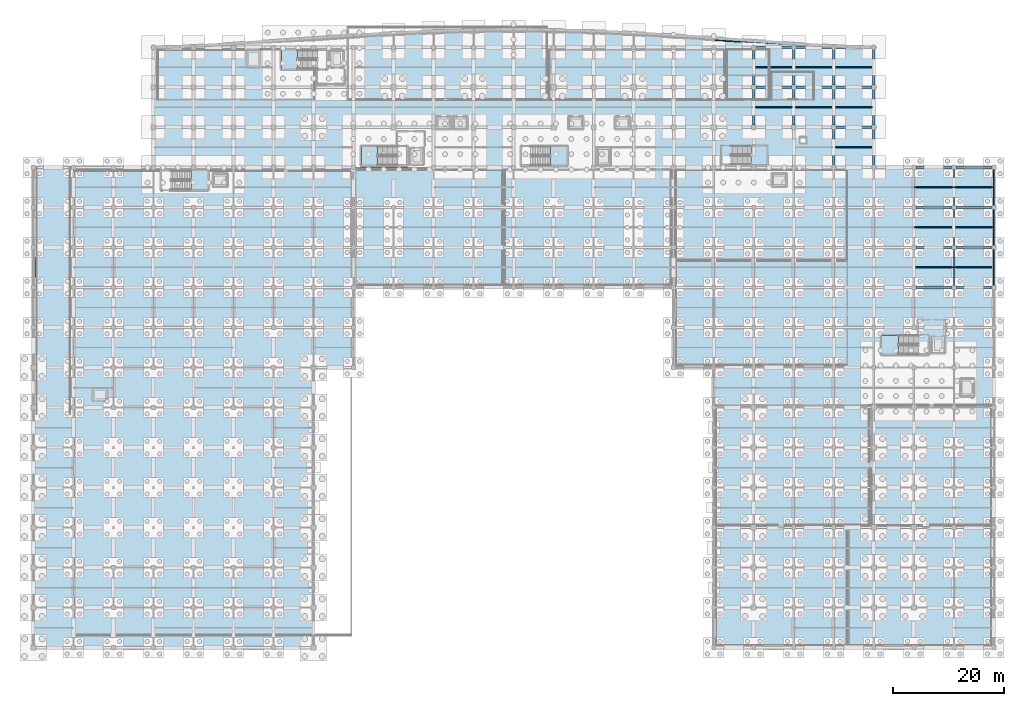
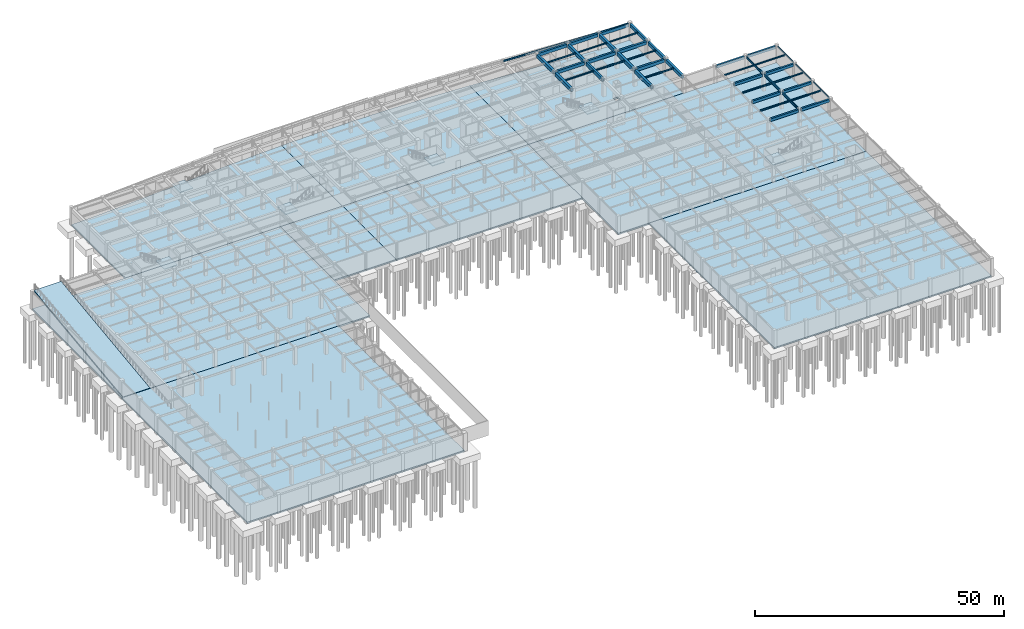
# One storey, part 31 of 48: 45 beams, 16 slabs, 6 elements without a shape of their own.
"""IFC4 building model written with IfcOpenShell, lengths in metres."""

from ifc_helpers import new_model, si_unit, direction, frame, origin, origin_2d, place, context, subcontext, project, spatial, polyline, rectangle, hollow_rectangle, i_section, outline, extrude, material, layer, layer_set, material_profile, profile_set, type_object, element, aggregate, save


model = new_model("IFC4")

# Units and contexts
model_context = context("Model", 3, precision=1e-05, world=origin(), true_north=direction((0.0, 1.0)))
body_context = subcontext(model_context, "Body", "Model", "MODEL_VIEW")
ifc_project = project(units=[si_unit("LENGTHUNIT", "METRE"), si_unit("AREAUNIT", "SQUARE_METRE"), si_unit("VOLUMEUNIT", "CUBIC_METRE"), si_unit("PLANEANGLEUNIT", "RADIAN"), si_unit("MASSUNIT", "GRAM", prefix="KILO")], contexts=[model_context])

# Site, building, storey
site_placement = place(None, origin())
site = spatial("IfcSite", under=ifc_project, at=site_placement, CompositionType="ELEMENT")
building_placement = place(site_placement, origin())
building = spatial("IfcBuilding", under=site, at=building_placement, Name="Carrowvane Square Congress Hotel", CompositionType="ELEMENT")
storey_placement = place(building_placement, frame((0.0, 0.0, -4.5)))
storey = spatial("IfcBuildingStorey", under=building, at=storey_placement, Name="B01", CompositionType="ELEMENT", Elevation=-4.5)

# Beams
ifc_material_1 = material(Name="Concrete C35/45", Category="concrete")
ifc_material_profile_1 = material_profile(ifc_material_1, rectangle(XDim=0.39990234375, YDim=0.64990234375, at=origin_2d()), Name="RC 400x650")
ifc_profile_set_1 = profile_set([ifc_material_profile_1], Name="Concrete C35/45")
beam_type_1 = type_object("IfcBeamType", Name="BM-RC-400x650", PredefinedType="BEAM", material=ifc_profile_set_1)
for number, where, z_axis, x_axis, name in (
    (1, (170.35009765625, 70.199951171875, 3.875), (1.0, 0.0, 0.0), (0.0, 1.0, 0.0), "L00 girder K/23-24"),
    (2, (177.550048828125, 70.199951171875, 3.875), (1.0, 0.0, 0.0), (0.0, 1.0, 0.0), "L00 girder K/24-25"),
    (3, (170.35009765625, 77.39990234375, 3.875), (1.0, 0.0, 0.0), (0.0, 1.0, 0.0), "L00 girder L/23-24"),
    (4, (177.550048828125, 77.39990234375, 3.875), (1.0, 0.0, 0.0), (0.0, 1.0, 0.0), "L00 girder L/24-25"),
    (5, (170.35009765625, 84.60009765625, 3.875), (1.0, 0.0, 0.0), (0.0, 1.0, 0.0), "L00 girder M/23-24"),
    (6, (177.550048828125, 84.60009765625, 3.875), (1.0, 0.0, 0.0), (0.0, 1.0, 0.0), "L00 girder M/24-25"),
    (7, (170.35009765625, 91.800048828125, 3.875), (1.0, 0.0, 0.0), (0.0, 1.0, 0.0), "L00 girder N/23-24"),
    (8, (177.550048828125, 91.800048828125, 3.875), (1.0, 0.0, 0.0), (0.0, 1.0, 0.0), "L00 girder N/24-25"),
):
    element("IfcBeam", number, at=place(storey_placement, frame(where, z_axis=z_axis, x_axis=x_axis)), inside=storey, type_object=beam_type_1, Name=name, PredefinedType="BEAM", context=body_context, shape_type="SweptSolid", body=[
        extrude(rectangle(XDim=0.39990234375, YDim=0.64990234375, at=origin_2d()), origin(), (0.0, 0.0, 1.0), 6.5),
    ])
ifc_material_2 = material(Name="Concrete C35/45", Category="concrete")
ifc_material_profile_2 = material_profile(ifc_material_2, rectangle(XDim=0.449951171875, YDim=0.75, at=origin_2d()), Name="RC 450x750")
ifc_profile_set_2 = profile_set([ifc_material_profile_2], Name="Concrete C35/45")
beam_type_2 = type_object("IfcBeamType", Name="BM-RC-450x750", PredefinedType="USERDEFINED", material=ifc_profile_set_2)
for number, where, z_axis, x_axis, name in (
    (9, (156.0, 99.0, 3.824951171875), (1.0, 0.0, 0.0), (0.0, 1.0, 0.0), "L00 girder P/21-22"),
    (10, (141.60009765625, 106.199951171875, 3.824951171875), (1.0, 0.0, 0.0), (0.0, 1.0, 0.0), "L00 girder Q/19-20"),
    (11, (148.800048828125, 106.199951171875, 3.824951171875), (1.0, 0.0, 0.0), (0.0, 1.0, 0.0), "L00 girder Q/20-21"),
    (12, (156.0, 106.199951171875, 3.824951171875), (1.0, 0.0, 0.0), (0.0, 1.0, 0.0), "L00 girder Q/21-22"),
):
    element("IfcBeam", number, at=place(storey_placement, frame(where, z_axis=z_axis, x_axis=x_axis)), inside=storey, type_object=beam_type_2, Name=name, ObjectType="GIRDER", PredefinedType="USERDEFINED", context=body_context, shape_type="SweptSolid", body=[
        extrude(rectangle(XDim=0.449951171875, YDim=0.75, at=origin_2d()), origin(), (0.0, 0.0, 1.0), 6.39990234375),
    ])
for number, where, z_axis, x_axis, name in (
    (13, (141.550048828125, 113.39990234375, 3.824951171875), (1.0, 0.0, 0.0), (0.0, 1.0, 0.0), "L00 girder R/19-20"),
    (14, (148.75, 113.39990234375, 3.824951171875), (1.0, 0.0, 0.0), (0.0, 1.0, 0.0), "L00 girder R/20-21"),
    (15, (155.949951171875, 113.39990234375, 3.824951171875), (1.0, 0.0, 0.0), (0.0, 1.0, 0.0), "L00 girder R/21-22"),
):
    element("IfcBeam", number, at=place(storey_placement, frame(where, z_axis=z_axis, x_axis=x_axis)), inside=storey, type_object=beam_type_2, Name=name, ObjectType="GIRDER", PredefinedType="USERDEFINED", context=body_context, shape_type="SweptSolid", body=[
        extrude(rectangle(XDim=0.449951171875, YDim=0.75, at=origin_2d()), origin(), (0.0, 0.0, 1.0), 6.5),
    ])
ifc_material_3 = material(Name="Concrete C35/45", Category="concrete")
ifc_material_profile_3 = material_profile(ifc_material_3, rectangle(XDim=0.5, YDim=0.85009765625, at=origin_2d()), Name="RC 500x850")
ifc_profile_set_3 = profile_set([ifc_material_profile_3], Name="Concrete C35/45")
beam_type_3 = type_object("IfcBeamType", Name="BM-RC-500x850", PredefinedType="USERDEFINED", material=ifc_profile_set_3)
beam_1_placement = place(storey_placement, frame((141.199951171875, 99.39990234375, 3.77490234375), z_axis=(0.0, 1.0, 0.0), x_axis=(-1.0, 0.0, 0.0)))
element("IfcBeam", 16, at=beam_1_placement, inside=storey, type_object=beam_type_3, Name="L00 girder 19/P-Q", ObjectType="GIRDER", PredefinedType="USERDEFINED", context=body_context, shape_type="SweptSolid", body=[
    extrude(rectangle(XDim=0.5, YDim=0.85009765625, at=origin_2d()), origin(), (0.0, 0.0, 1.0), 6.400146484375),
])
beam_2_placement = place(storey_placement, frame((141.199951171875, 106.60009765625, 3.77490234375), z_axis=(0.0, 1.0, 0.0), x_axis=(-1.0, 0.0, 0.0)))
element("IfcBeam", 17, at=beam_2_placement, inside=storey, type_object=beam_type_3, Name="L00 girder 19/Q-R", ObjectType="GIRDER", PredefinedType="USERDEFINED", context=body_context, shape_type="SweptSolid", body=[
    extrude(rectangle(XDim=0.5, YDim=0.85009765625, at=origin_2d()), origin(), (0.0, 0.0, 1.0), 6.449951171875),
])
beam_3_placement = place(storey_placement, frame((148.39990234375, 99.39990234375, 3.77490234375), z_axis=(0.0, 1.0, 0.0), x_axis=(-1.0, 0.0, 0.0)))
element("IfcBeam", 18, at=beam_3_placement, inside=storey, type_object=beam_type_3, Name="L00 girder 20/P-Q", ObjectType="GIRDER", PredefinedType="USERDEFINED", context=body_context, shape_type="SweptSolid", body=[
    extrude(rectangle(XDim=0.5, YDim=0.85009765625, at=origin_2d()), origin(), (0.0, 0.0, 1.0), 6.400146484375),
])
beam_4_placement = place(storey_placement, frame((148.39990234375, 106.60009765625, 3.77490234375), z_axis=(0.0, 1.0, 0.0), x_axis=(-1.0, 0.0, 0.0)))
element("IfcBeam", 19, at=beam_4_placement, inside=storey, type_object=beam_type_3, Name="L00 girder 20/Q-R", ObjectType="GIRDER", PredefinedType="USERDEFINED", context=body_context, shape_type="SweptSolid", body=[
    extrude(rectangle(XDim=0.5, YDim=0.85009765625, at=origin_2d()), origin(), (0.0, 0.0, 1.0), 6.449951171875),
])
beam_5_placement = place(storey_placement, frame((155.60009765625, 92.14990234375, 3.77490234375), z_axis=(0.0, 1.0, 0.0), x_axis=(-1.0, 0.0, 0.0)))
element("IfcBeam", 20, at=beam_5_placement, inside=storey, type_object=beam_type_3, Name="L00 girder 21/N-P", ObjectType="GIRDER", PredefinedType="USERDEFINED", context=body_context, shape_type="SweptSolid", body=[
    extrude(rectangle(XDim=0.5, YDim=0.85009765625, at=origin_2d()), origin(), (0.0, 0.0, 1.0), 6.4501953125),
])
beam_6_placement = place(storey_placement, frame((155.60009765625, 99.39990234375, 3.77490234375), z_axis=(0.0, 1.0, 0.0), x_axis=(-1.0, 0.0, 0.0)))
element("IfcBeam", 21, at=beam_6_placement, inside=storey, type_object=beam_type_3, Name="L00 girder 21/P-Q", ObjectType="GIRDER", PredefinedType="USERDEFINED", context=body_context, shape_type="SweptSolid", body=[
    extrude(rectangle(XDim=0.5, YDim=0.85009765625, at=origin_2d()), origin(), (0.0, 0.0, 1.0), 6.400146484375),
])
beam_7_placement = place(storey_placement, frame((155.60009765625, 106.60009765625, 3.77490234375), z_axis=(0.0, 1.0, 0.0), x_axis=(-1.0, 0.0, 0.0)))
element("IfcBeam", 22, at=beam_7_placement, inside=storey, type_object=beam_type_3, Name="L00 girder 21/Q-R", ObjectType="GIRDER", PredefinedType="USERDEFINED", context=body_context, shape_type="SweptSolid", body=[
    extrude(rectangle(XDim=0.5, YDim=0.85009765625, at=origin_2d()), origin(), (0.0, 0.0, 1.0), 6.449951171875),
])
beam_8_placement = place(storey_placement, frame((162.800048828125, 92.14990234375, 3.77490234375), z_axis=(0.0, 1.0, 0.0), x_axis=(-1.0, 0.0, 0.0)))
element("IfcBeam", 23, at=beam_8_placement, inside=storey, type_object=beam_type_3, Name="L00 girder 22/N-P", ObjectType="GIRDER", PredefinedType="USERDEFINED", context=body_context, shape_type="SweptSolid", body=[
    extrude(rectangle(XDim=0.5, YDim=0.85009765625, at=origin_2d()), origin(), (0.0, 0.0, 1.0), 6.4501953125),
])
beam_9_placement = place(storey_placement, frame((162.800048828125, 99.39990234375, 3.77490234375), z_axis=(0.0, 1.0, 0.0), x_axis=(-1.0, 0.0, 0.0)))
element("IfcBeam", 24, at=beam_9_placement, inside=storey, type_object=beam_type_3, Name="L00 girder 22/P-Q", ObjectType="GIRDER", PredefinedType="USERDEFINED", context=body_context, shape_type="SweptSolid", body=[
    extrude(rectangle(XDim=0.5, YDim=0.85009765625, at=origin_2d()), origin(), (0.0, 0.0, 1.0), 6.400146484375),
])
beam_10_placement = place(storey_placement, frame((162.800048828125, 106.60009765625, 3.77490234375), z_axis=(0.0, 1.0, 0.0), x_axis=(-1.0, 0.0, 0.0)))
element("IfcBeam", 25, at=beam_10_placement, inside=storey, type_object=beam_type_3, Name="L00 girder 22/Q-R", ObjectType="GIRDER", PredefinedType="USERDEFINED", context=body_context, shape_type="SweptSolid", body=[
    extrude(rectangle(XDim=0.5, YDim=0.85009765625, at=origin_2d()), origin(), (0.0, 0.0, 1.0), 6.449951171875),
])
ifc_material_4 = material(Name="Steel S355", Category="steel")
ifc_material_profile_4 = material_profile(ifc_material_4, hollow_rectangle(XDim=0.14990234375, YDim=0.25, WallThickness=0.012451171875, at=origin_2d()), Name="RHS 250x150x12.5")
ifc_profile_set_4 = profile_set([ifc_material_profile_4], Name="Steel S355")
beam_type_4 = type_object("IfcBeamType", Name="BM-ST-RHS250", PredefinedType="SPANDREL", material=ifc_profile_set_4)
for number, where, z_axis, x_axis, name in (
    (26, (184.39990234375, 70.550048828125, 4.074951171875), (0.0, 1.0, 0.0), (-1.0, 0.0, 0.0), "L00 girder 25/K-L"),
    (27, (184.39990234375, 77.75, 4.074951171875), (0.0, 1.0, 0.0), (-1.0, 0.0, 0.0), "L00 girder 25/L-M"),
    (28, (184.39990234375, 84.949951171875, 4.074951171875), (0.0, 1.0, 0.0), (-1.0, 0.0, 0.0), "L00 girder 25/M-N"),
):
    element("IfcBeam", number, at=place(storey_placement, frame(where, z_axis=z_axis, x_axis=x_axis)), inside=storey, type_object=beam_type_4, Name=name, PredefinedType="SPANDREL", context=body_context, shape_type="SweptSolid", body=[
        extrude(hollow_rectangle(XDim=0.14990234375, YDim=0.25, WallThickness=0.012451171875, at=origin_2d()), origin(), (0.0, 0.0, 1.0), 6.5),
    ])
ifc_material_5 = material(Name="Steel S355", Category="steel")
ifc_material_profile_5 = material_profile(ifc_material_5, i_section(OverallWidth=0.172119140625, OverallDepth=0.35791015625, WebThickness=0.008056640625, FlangeThickness=0.012939453125, FilletRadius=0.01025390625, at=origin_2d()), Name="UKB 356x171x57")
ifc_profile_set_5 = profile_set([ifc_material_profile_5], Name="Steel S355")
beam_type_5 = type_object("IfcBeamType", Name="BM-ST-UKB356", PredefinedType="JOIST", material=ifc_profile_set_5)
for number, where, z_axis, x_axis, name in (
    (29, (141.449951171875, 102.60009765625, 4.02099609375), (1.0, 0.0, 0.0), (0.0, 1.0, 0.0), "L00 secondary joist 19-20"),
    (30, (141.449951171875, 109.800048828125, 4.02099609375), (1.0, 0.0, 0.0), (0.0, 1.0, 0.0), "L00 secondary joist 19-20"),
):
    element("IfcBeam", number, at=place(storey_placement, frame(where, z_axis=z_axis, x_axis=x_axis)), inside=storey, type_object=beam_type_5, Name=name, PredefinedType="JOIST", context=body_context, shape_type="SweptSolid", body=[
        extrude(i_section(OverallWidth=0.172119140625, OverallDepth=0.35791015625, WebThickness=0.008056640625, FlangeThickness=0.012939453125, FilletRadius=0.01025390625, at=origin_2d()), origin(), (0.0, 0.0, 1.0), 6.699951171875),
    ])
for number, where, z_axis, x_axis, name in (
    (31, (148.64990234375, 102.60009765625, 4.02099609375), (1.0, 0.0, 0.0), (0.0, 1.0, 0.0), "L00 secondary joist 20-21"),
    (32, (148.64990234375, 109.800048828125, 4.02099609375), (1.0, 0.0, 0.0), (0.0, 1.0, 0.0), "L00 secondary joist 20-21"),
):
    element("IfcBeam", number, at=place(storey_placement, frame(where, z_axis=z_axis, x_axis=x_axis)), inside=storey, type_object=beam_type_5, Name=name, PredefinedType="JOIST", context=body_context, shape_type="SweptSolid", body=[
        extrude(i_section(OverallWidth=0.172119140625, OverallDepth=0.35791015625, WebThickness=0.008056640625, FlangeThickness=0.012939453125, FilletRadius=0.01025390625, at=origin_2d()), origin(), (0.0, 0.0, 1.0), 6.7001953125),
    ])
for number, where, z_axis, x_axis, name in (
    (33, (155.85009765625, 95.39990234375, 4.02099609375), (1.0, 0.0, 0.0), (0.0, 1.0, 0.0), "L00 secondary joist 21-22"),
    (34, (155.85009765625, 102.60009765625, 4.02099609375), (1.0, 0.0, 0.0), (0.0, 1.0, 0.0), "L00 secondary joist 21-22"),
    (35, (155.85009765625, 109.800048828125, 4.02099609375), (1.0, 0.0, 0.0), (0.0, 1.0, 0.0), "L00 secondary joist 21-22"),
):
    element("IfcBeam", number, at=place(storey_placement, frame(where, z_axis=z_axis, x_axis=x_axis)), inside=storey, type_object=beam_type_5, Name=name, PredefinedType="JOIST", context=body_context, shape_type="SweptSolid", body=[
        extrude(i_section(OverallWidth=0.172119140625, OverallDepth=0.35791015625, WebThickness=0.008056640625, FlangeThickness=0.012939453125, FilletRadius=0.01025390625, at=origin_2d()), origin(), (0.0, 0.0, 1.0), 6.699951171875),
    ])
for number, where, z_axis, x_axis, name in (
    (36, (170.10498046875, 73.800048828125, 4.02099609375), (1.0, 0.0, 0.0), (0.0, 1.0, 0.0), "L00 secondary joist 23-24"),
    (37, (170.10498046875, 81.0, 4.02099609375), (1.0, 0.0, 0.0), (0.0, 1.0, 0.0), "L00 secondary joist 23-24"),
    (38, (170.10498046875, 88.199951171875, 4.02099609375), (1.0, 0.0, 0.0), (0.0, 1.0, 0.0), "L00 secondary joist 23-24"),
):
    element("IfcBeam", number, at=place(storey_placement, frame(where, z_axis=z_axis, x_axis=x_axis)), inside=storey, type_object=beam_type_5, Name=name, PredefinedType="JOIST", context=body_context, shape_type="SweptSolid", body=[
        extrude(i_section(OverallWidth=0.172119140625, OverallDepth=0.35791015625, WebThickness=0.008056640625, FlangeThickness=0.012939453125, FilletRadius=0.01025390625, at=origin_2d()), origin(), (0.0, 0.0, 1.0), 6.989990234375),
    ])
for number, where, z_axis, x_axis, name in (
    (39, (177.304931640625, 73.800048828125, 4.02099609375), (1.0, 0.0, 0.0), (0.0, 1.0, 0.0), "L00 secondary joist 24-25"),
    (40, (177.304931640625, 81.0, 4.02099609375), (1.0, 0.0, 0.0), (0.0, 1.0, 0.0), "L00 secondary joist 24-25"),
    (41, (177.304931640625, 88.199951171875, 4.02099609375), (1.0, 0.0, 0.0), (0.0, 1.0, 0.0), "L00 secondary joist 24-25"),
):
    element("IfcBeam", number, at=place(storey_placement, frame(where, z_axis=z_axis, x_axis=x_axis)), inside=storey, type_object=beam_type_5, Name=name, PredefinedType="JOIST", context=body_context, shape_type="SweptSolid", body=[
        extrude(i_section(OverallWidth=0.172119140625, OverallDepth=0.35791015625, WebThickness=0.008056640625, FlangeThickness=0.012939453125, FilletRadius=0.01025390625, at=origin_2d()), origin(), (0.0, 0.0, 1.0), 7.02001953125),
    ])
ifc_material_6 = material(Name="Steel S355", Category="steel")
ifc_material_profile_6 = material_profile(ifc_material_6, i_section(OverallWidth=0.1787109375, OverallDepth=0.409423828125, WebThickness=0.0087890625, FlangeThickness=0.014404296875, FilletRadius=0.01025390625, at=origin_2d()), Name="UKB 406x178x67")
ifc_profile_set_6 = profile_set([ifc_material_profile_6], Name="Steel S355")
beam_type_6 = type_object("IfcBeamType", Name="BM-ST-UKB406", PredefinedType="BEAM", material=ifc_profile_set_6)
beam_11_placement = place(storey_placement, frame((134.202880859375, 114.69677734375, 3.995361328125), z_axis=(0.998973305659, -0.045302699476, 0.0), x_axis=(0.045302699476, 0.998973305659, 0.0)))
element("IfcBeam", 42, at=beam_11_placement, inside=storey, type_object=beam_type_6, Name="L00 curved north spandrel", PredefinedType="BEAM", context=body_context, shape_type="SweptSolid", body=[
    extrude(i_section(OverallWidth=0.1787109375, OverallDepth=0.409423828125, WebThickness=0.0087890625, FlangeThickness=0.014404296875, FilletRadius=0.01025390625, at=origin_2d()), origin(), (0.0, 0.0, 1.0), 28.276611328125),
])
ifc_material_7 = material(Name="Steel S355", Category="steel")
ifc_material_profile_7 = material_profile(ifc_material_7, i_section(OverallWidth=0.2099609375, OverallDepth=0.53662109375, WebThickness=0.0107421875, FlangeThickness=0.017333984375, FilletRadius=0.0126953125, at=origin_2d()), Name="UKB 533x210x101")
ifc_profile_set_7 = profile_set([ifc_material_profile_7], Name="Steel S355")
beam_type_7 = type_object("IfcBeamType", Name="BM-ST-UKB533", PredefinedType="USERDEFINED", material=ifc_profile_set_7)
for number, where, z_axis, x_axis, name in (
    (43, (177.199951171875, 70.550048828125, 3.931640625), (0.0, 1.0, 0.0), (-1.0, 0.0, 0.0), "L00 girder 24/K-L"),
    (44, (177.199951171875, 77.75, 3.931640625), (0.0, 1.0, 0.0), (-1.0, 0.0, 0.0), "L00 girder 24/L-M"),
    (45, (177.199951171875, 84.949951171875, 3.931640625), (0.0, 1.0, 0.0), (-1.0, 0.0, 0.0), "L00 girder 24/M-N"),
):
    element("IfcBeam", number, at=place(storey_placement, frame(where, z_axis=z_axis, x_axis=x_axis)), inside=storey, type_object=beam_type_7, Name=name, ObjectType="GIRDER", PredefinedType="USERDEFINED", context=body_context, shape_type="SweptSolid", body=[
        extrude(i_section(OverallWidth=0.2099609375, OverallDepth=0.53662109375, WebThickness=0.0107421875, FlangeThickness=0.017333984375, FilletRadius=0.0126953125, at=origin_2d()), origin(), (0.0, 0.0, 1.0), 6.5),
    ])

# Slabs
ifc_material_8 = material(Name="Concrete C35/45", Category="concrete")
ifc_layer_1 = layer(ifc_material_8, 0.35009765625)
ifc_layer_set_1 = layer_set([ifc_layer_1], Name="Concrete C35/45")
slab_type_1 = type_object("IfcSlabType", Name="SLB-BASE-350", PredefinedType="BASESLAB", material=ifc_layer_set_1)
slab_1_placement = place(storey_placement, frame((0.0, 0.0, -0.35009765625)))
element("IfcSlab", 46, at=slab_1_placement, inside=storey, type_object=slab_type_1, Name="B01 V2 structural slab", PredefinedType="BASESLAB", context=body_context, shape_type="SweptSolid", body=[
    extrude(outline(polyline([(134.0, 5.39990234375), (184.39990234375, 5.39990234375), (184.39990234375, 55.800048828125), (134.0, 55.800048828125), (134.0, 5.39990234375)])), origin(), (0.0, 0.0, 1.0), 0.35009765625),
])
ifc_material_9 = material(Name="Concrete C35/45", Category="concrete")
ifc_layer_2 = layer(ifc_material_9, 0.39990234375)
ifc_layer_set_2 = layer_set([ifc_layer_2], Name="Concrete C35/45")
slab_type_2 = type_object("IfcSlabType", Name="SLB-BASE-400", PredefinedType="BASESLAB", material=ifc_layer_set_2)
slab_2_placement = place(storey_placement, frame((0.0, 0.0, -0.39990234375)))
element("IfcSlab", 47, at=slab_2_placement, inside=storey, type_object=slab_type_2, Name="B01 V1 structural slab", PredefinedType="BASESLAB", context=body_context, shape_type="SweptSolid", body=[
    extrude(outline(polyline([(11.60009765625, 5.39990234375), (62.0, 5.39990234375), (62.0, 55.800048828125), (11.60009765625, 55.800048828125), (11.60009765625, 5.39990234375)])), origin(), (0.0, 0.0, 1.0), 0.39990234375),
])
slab_3_placement = place(storey_placement, frame((0.0, 0.0, -0.39990234375)))
element("IfcSlab", 48, at=slab_3_placement, inside=storey, type_object=slab_type_2, Name="B01 V4 structural slab", PredefinedType="BASESLAB", context=body_context, shape_type="SweptSolid", body=[
    extrude(outline(polyline([(11.60009765625, 55.800048828125), (69.199951171875, 55.800048828125), (69.199951171875, 91.800048828125), (11.60009765625, 91.800048828125), (11.60009765625, 55.800048828125)]), holes=[polyline([(11.8798828125, 55.889892578125), (18.219970703125, 55.889892578125), (18.219970703125, 59.800048828125), (11.8798828125, 59.800048828125), (11.8798828125, 55.889892578125)])]), origin(), (0.0, 0.0, 1.0), 0.39990234375),
])
slab_4_placement = place(storey_placement, frame((0.0, 0.0, -0.39990234375)))
element("IfcSlab", 49, at=slab_4_placement, inside=storey, type_object=slab_type_2, Name="B01 V3 structural slab", PredefinedType="BASESLAB", context=body_context, shape_type="SweptSolid", body=[
    extrude(outline(polyline([(126.800048828125, 55.800048828125), (184.39990234375, 55.800048828125), (184.39990234375, 91.800048828125), (126.800048828125, 91.800048828125), (126.800048828125, 55.800048828125)])), origin(), (0.0, 0.0, 1.0), 0.39990234375),
])
slab_5_placement = place(storey_placement, frame((0.0, 0.0, -0.39990234375)))
element("IfcSlab", 50, at=slab_5_placement, inside=storey, type_object=slab_type_2, Name="B01 V6 structural slab panel 1", PredefinedType="BASESLAB", context=body_context, shape_type="SweptSolid", body=[
    extrude(outline(polyline([(69.199951171875, 70.199951171875), (83.60009765625, 70.199951171875), (83.60009765625, 91.800048828125), (69.199951171875, 91.800048828125), (69.199951171875, 70.199951171875)])), origin(), (0.0, 0.0, 1.0), 0.39990234375),
])
slab_6_placement = place(storey_placement, frame((0.0, 0.0, -0.39990234375)))
element("IfcSlab", 51, at=slab_6_placement, inside=storey, type_object=slab_type_2, Name="B01 V6 structural slab panel 2", PredefinedType="BASESLAB", context=body_context, shape_type="SweptSolid", body=[
    extrude(outline(polyline([(83.60009765625, 70.199951171875), (126.800048828125, 70.199951171875), (126.800048828125, 91.800048828125), (83.60009765625, 91.800048828125), (83.60009765625, 70.199951171875)])), origin(), (0.0, 0.0, 1.0), 0.39990234375),
])
slab_7_placement = place(storey_placement, frame((0.0, 0.0, -0.39990234375)))
element("IfcSlab", 52, at=slab_7_placement, inside=storey, type_object=slab_type_2, Name="B01 Hotel Wing slab panel 1", PredefinedType="BASESLAB", context=body_context, shape_type="SweptSolid", body=[
    extrude(outline(polyline([(33.199951171875, 91.800048828125), (83.60009765625, 91.800048828125), (83.60009765625, 116.323974609375), (81.199951171875, 116.2275390625), (78.800048828125, 116.118408203125), (76.39990234375, 115.99755859375), (74.0, 115.86572265625), (71.60009765625, 115.724365234375), (69.199951171875, 115.57421875), (66.800048828125, 115.4169921875), (64.39990234375, 115.253662109375), (62.0, 115.0859375), (59.60009765625, 114.915283203125), (57.199951171875, 114.7431640625), (54.800048828125, 114.5712890625), (52.39990234375, 114.4013671875), (50.0, 114.235595703125), (47.60009765625, 114.075439453125), (45.199951171875, 113.923095703125), (42.800048828125, 113.78125), (40.39990234375, 113.65283203125), (38.0, 113.541015625), (35.60009765625, 113.45166015625), (33.199951171875, 113.39990234375), (33.199951171875, 91.800048828125)])), origin(), (0.0, 0.0, 1.0), 0.39990234375),
])
slab_8_placement = place(storey_placement, frame((0.0, 0.0, -0.39990234375)))
element("IfcSlab", 53, at=slab_8_placement, inside=storey, type_object=slab_type_2, Name="B01 Hotel Wing slab panel 2", PredefinedType="BASESLAB", context=body_context, shape_type="SweptSolid", body=[
    extrude(outline(polyline([(83.60009765625, 91.800048828125), (126.800048828125, 91.800048828125), (126.800048828125, 115.57421875), (124.39990234375, 115.724365234375), (122.0, 115.86572265625), (119.60009765625, 115.99755859375), (117.199951171875, 116.118408203125), (114.800048828125, 116.2275390625), (112.39990234375, 116.323974609375), (110.0, 116.406982421875), (107.60009765625, 116.4755859375), (105.199951171875, 116.52978515625), (102.800048828125, 116.568603515625), (100.39990234375, 116.592041015625), (98.0, 116.60009765625), (95.60009765625, 116.592041015625), (93.199951171875, 116.568603515625), (90.800048828125, 116.52978515625), (88.39990234375, 116.4755859375), (86.0, 116.406982421875), (83.60009765625, 116.323974609375), (83.60009765625, 91.800048828125)])), origin(), (0.0, 0.0, 1.0), 0.39990234375),
])
slab_9_placement = place(storey_placement, frame((0.0, 0.0, -0.39990234375)))
element("IfcSlab", 54, at=slab_9_placement, inside=storey, type_object=slab_type_2, Name="B01 Hotel Wing slab panel 3", PredefinedType="BASESLAB", context=body_context, shape_type="SweptSolid", body=[
    extrude(outline(polyline([(126.800048828125, 91.800048828125), (162.800048828125, 91.800048828125), (162.800048828125, 113.39990234375), (160.39990234375, 113.45166015625), (158.0, 113.541015625), (155.60009765625, 113.65283203125), (153.199951171875, 113.78125), (150.800048828125, 113.923095703125), (148.39990234375, 114.075439453125), (146.0, 114.235595703125), (143.60009765625, 114.4013671875), (141.199951171875, 114.5712890625), (138.800048828125, 114.7431640625), (136.39990234375, 114.915283203125), (134.0, 115.0859375), (131.60009765625, 115.253662109375), (129.199951171875, 115.4169921875), (126.800048828125, 115.57421875), (126.800048828125, 91.800048828125)]), holes=[polyline([(149.60009765625, 96.199951171875), (150.60009765625, 96.199951171875), (150.60009765625, 97.199951171875), (149.60009765625, 97.199951171875), (149.60009765625, 96.199951171875)])]), origin(), (0.0, 0.0, 1.0), 0.39990234375),
])

# Stair, slab
ifc_material_10 = material(Name="Concrete C35/45", Category="concrete")
stair_type_1 = type_object("IfcStairType", Name="STR-DOG-01", PredefinedType="HALF_TURN_STAIR", material=ifc_material_10)
stair_1_placement = place(storey_placement, origin())
stair_1 = element("IfcStair", 55, at=stair_1_placement, inside=storey, type_object=stair_type_1, Name="B01 Core C1 West Hotel Firefighting Stair", PredefinedType="HALF_TURN_STAIR")
ifc_material_11 = material(Name="Concrete C35/45", Category="concrete")
ifc_layer_3 = layer(ifc_material_11, 0.199951171875)
ifc_layer_set_3 = layer_set([ifc_layer_3], Name="Concrete C35/45")
slab_type_3 = type_object("IfcSlabType", Name="SLB-LND-200", PredefinedType="LANDING", material=ifc_layer_set_3)
slab_10_placement = place(storey_placement, frame((0.0, 0.0, 2.050048828125)))
slab_10 = element("IfcSlab", 56, at=slab_10_placement, type_object=slab_type_3, Name="ST1 landing 1", PredefinedType="LANDING", context=body_context, shape_type="SweptSolid", body=[
    extrude(outline(polyline([(59.1201171875, 112.89990234375), (56.199951171875, 112.89990234375), (56.199951171875, 109.5400390625), (59.1201171875, 109.5400390625), (59.1201171875, 112.89990234375)])), origin(), (0.0, 0.0, 1.0), 0.199951171875),
])
aggregate(stair_1, [slab_10])

stair_2_placement = place(storey_placement, origin())
stair_2 = element("IfcStair", 57, at=stair_2_placement, inside=storey, type_object=stair_type_1, Name="B01 Core C2 Central Hotel Firefighting Stair", PredefinedType="HALF_TURN_STAIR")
slab_11_placement = place(storey_placement, frame((0.0, 0.0, 2.050048828125)))
slab_11 = element("IfcSlab", 58, at=slab_11_placement, type_object=slab_type_3, Name="ST2 landing 1", PredefinedType="LANDING", context=body_context, shape_type="SweptSolid", body=[
    extrude(outline(polyline([(73.52001953125, 95.56005859375), (70.60009765625, 95.56005859375), (70.60009765625, 92.199951171875), (73.52001953125, 92.199951171875), (73.52001953125, 95.56005859375)])), origin(), (0.0, 0.0, 1.0), 0.199951171875),
])
aggregate(stair_2, [slab_11])

stair_3_placement = place(storey_placement, origin())
stair_3 = element("IfcStair", 59, at=stair_3_placement, inside=storey, type_object=stair_type_1, Name="B01 Core C3 East Hotel Escape Stair", PredefinedType="HALF_TURN_STAIR")
slab_12_placement = place(storey_placement, frame((0.0, 0.0, 2.050048828125)))
slab_12 = element("IfcSlab", 60, at=slab_12_placement, type_object=slab_type_3, Name="ST3 landing 1", PredefinedType="LANDING", context=body_context, shape_type="SweptSolid", body=[
    extrude(outline(polyline([(104.679931640625, 92.199951171875), (107.60009765625, 92.199951171875), (107.60009765625, 95.56005859375), (104.679931640625, 95.56005859375), (104.679931640625, 92.199951171875)])), origin(), (0.0, 0.0, 1.0), 0.199951171875),
])
aggregate(stair_3, [slab_12])

ifc_material_12 = material(Name="Concrete C35/45", Category="concrete")
stair_type_2 = type_object("IfcStairType", Name="STR-DOG-05", PredefinedType="HALF_TURN_STAIR", material=ifc_material_12)
stair_4_placement = place(storey_placement, origin())
stair_4 = element("IfcStair", 61, at=stair_4_placement, inside=storey, type_object=stair_type_2, Name="B01 Core C4 East Congress Firefighting Stair", PredefinedType="HALF_TURN_STAIR")
slab_13_placement = place(storey_placement, frame((0.0, 0.0, 2.050048828125)))
slab_13 = element("IfcSlab", 62, at=slab_13_placement, type_object=slab_type_3, Name="ST4 landing 1", PredefinedType="LANDING", context=body_context, shape_type="SweptSolid", body=[
    extrude(outline(polyline([(167.25, 61.60009765625), (164.199951171875, 61.60009765625), (164.199951171875, 58.199951171875), (167.25, 58.199951171875), (167.25, 61.60009765625)])), origin(), (0.0, 0.0, 1.0), 0.199951171875),
])
aggregate(stair_4, [slab_13])

stair_5_placement = place(storey_placement, origin())
stair_5 = element("IfcStair", 63, at=stair_5_placement, inside=storey, type_object=stair_type_2, Name="B01 Core C5 West Spa Escape Stair", PredefinedType="HALF_TURN_STAIR")
slab_14_placement = place(storey_placement, frame((0.0, 0.0, 2.050048828125)))
slab_14 = element("IfcSlab", 64, at=slab_14_placement, type_object=slab_type_3, Name="ST5 landing 1", PredefinedType="LANDING", context=body_context, shape_type="SweptSolid", body=[
    extrude(outline(polyline([(39.949951171875, 87.800048828125), (43.0, 87.800048828125), (43.0, 91.199951171875), (39.949951171875, 91.199951171875), (39.949951171875, 87.800048828125)])), origin(), (0.0, 0.0, 1.0), 0.199951171875),
])
aggregate(stair_5, [slab_14])

stair_6_placement = place(storey_placement, origin())
stair_6 = element("IfcStair", 65, at=stair_6_placement, inside=storey, type_object=stair_type_1, Name="B01 East Hotel Wing Escape Stair", PredefinedType="HALF_TURN_STAIR")
slab_15_placement = place(storey_placement, frame((0.0, 0.0, 2.050048828125)))
slab_15 = element("IfcSlab", 66, at=slab_15_placement, type_object=slab_type_3, Name="ST12 landing 1", PredefinedType="LANDING", context=body_context, shape_type="SweptSolid", body=[
    extrude(outline(polyline([(140.679931640625, 92.300048828125), (143.60009765625, 92.300048828125), (143.60009765625, 95.659912109375), (140.679931640625, 95.659912109375), (140.679931640625, 92.300048828125)])), origin(), (0.0, 0.0, 1.0), 0.199951171875),
])
aggregate(stair_6, [slab_15])

# Slab
ifc_material_13 = material(Name="Concrete C35/45", Category="concrete")
ifc_layer_4 = layer(ifc_material_13, 0.300048828125)
ifc_layer_set_4 = layer_set([ifc_layer_4], Name="Concrete C35/45")
slab_type_4 = type_object("IfcSlabType", Name="SLB-RAMP-300", PredefinedType="FLOOR", material=ifc_layer_set_4)
slab_16_placement = place(storey_placement, frame((11.89990234375, 55.89990234375, 0.0), z_axis=(0.0, -0.124716750016, 0.99219238672), x_axis=(1.0, 0.0, 0.0)))
element("IfcSlab", 67, at=slab_16_placement, inside=storey, type_object=slab_type_4, Name="B01 to L00 structural concrete vehicle ramp slab RMP-1", PredefinedType="FLOOR", context=body_context, shape_type="SweptSolid", body=[
    extrude(outline(polyline([(0.0, 0.0), (6.300048828125, 0.0), (6.300048828125, 36.081761266547595), (0.0, 36.081761266547595), (0.0, 0.0)])), origin(), (0.0, 0.0, -1.0), 0.300048828125),
])

save(model, "model.ifc")
